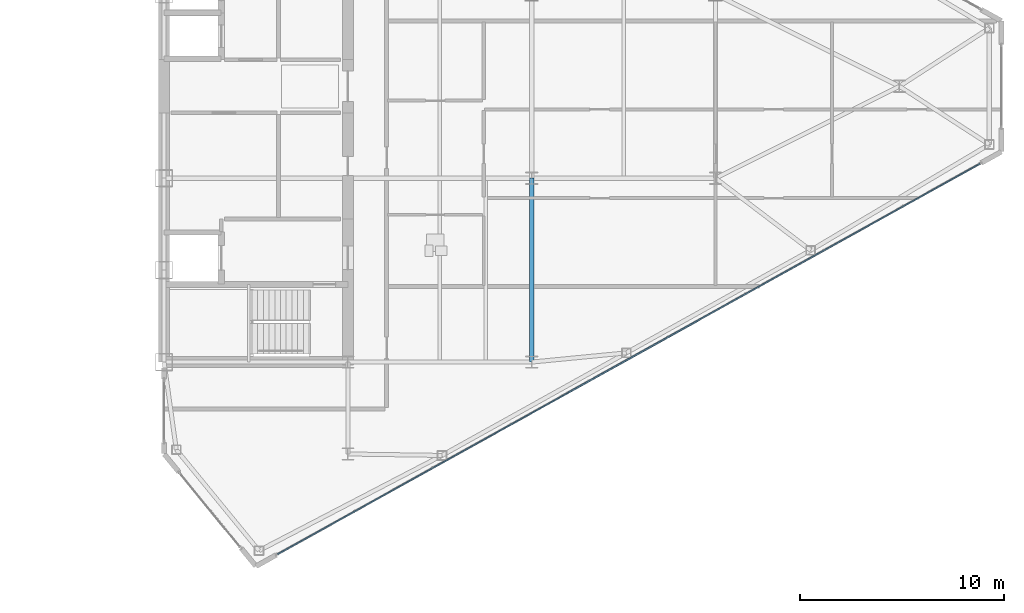
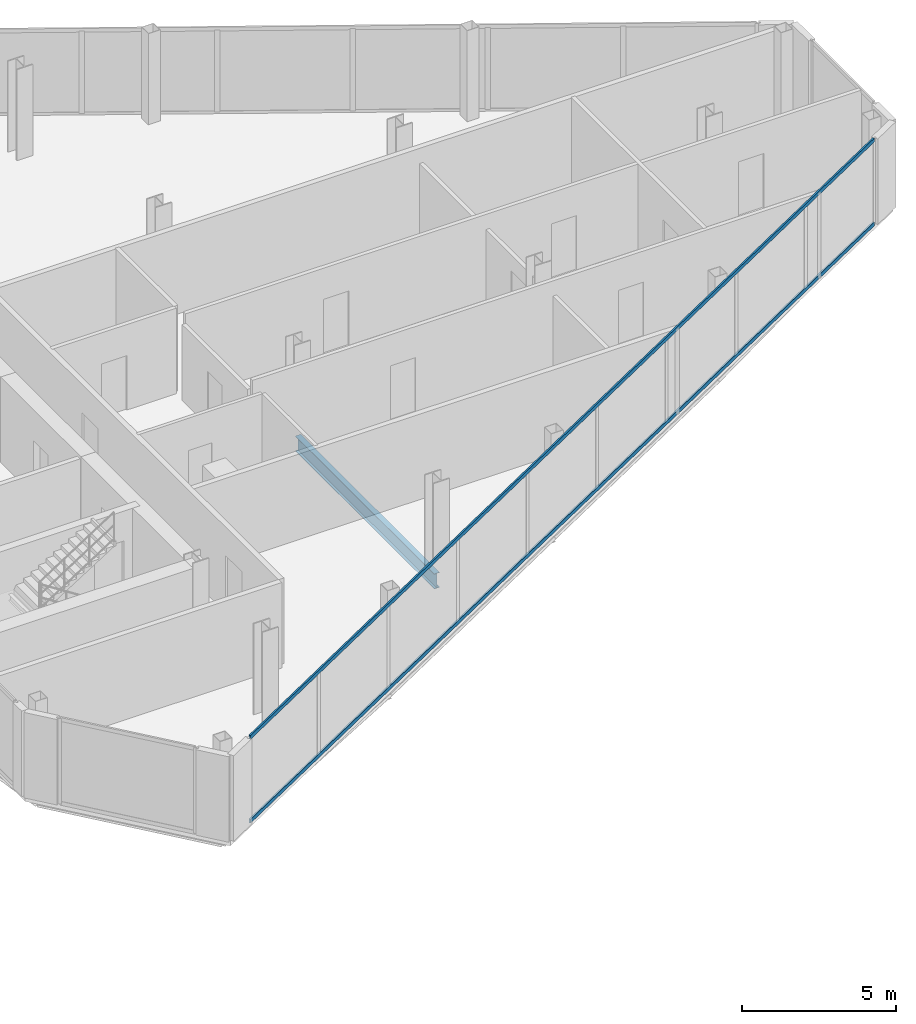
# One storey, part 12 of 25: 2 members, 1 beam, 1 element without a shape of its own.
"""IFC4 building model written with IfcOpenShell, lengths in metres."""

from ifc_helpers import new_model, si_unit, direction, frame, origin, origin_2d, place, context, subcontext, project, spatial, rectangle, i_section, extrude, source, transform, mapped, material, layer, layer_set, material_profile, profile_set, type_object, type_shapes, element, aggregate, save


model = new_model("IFC4")

# Units and contexts
model_context = context("Model", 3, precision=1e-05, world=origin(), true_north=direction((0.0, 1.0)))
body_context = subcontext(model_context, "Body", "Model", "MODEL_VIEW")
ifc_project = project(units=[si_unit("LENGTHUNIT", "METRE"), si_unit("AREAUNIT", "SQUARE_METRE"), si_unit("VOLUMEUNIT", "CUBIC_METRE"), si_unit("PLANEANGLEUNIT", "RADIAN"), si_unit("MASSUNIT", "GRAM", prefix="KILO")], contexts=[model_context])

# Site, building, storey
site_placement = place(None, origin())
site = spatial("IfcSite", under=ifc_project, at=site_placement, CompositionType="ELEMENT")
building_placement = place(site_placement, origin())
building = spatial("IfcBuilding", under=site, at=building_placement, Name="Seokmaru Belvedere", CompositionType="ELEMENT")
storey_placement = place(building_placement, frame((0.0, 0.0, 188.699951171875)))
storey = spatial("IfcBuildingStorey", under=building, at=storey_placement, Name="L50", CompositionType="ELEMENT", Elevation=188.699951171875)

# Beam
ifc_material_1 = material(Name="Steel SM355 (355 MPa)", Category="steel")
ifc_material_profile_1 = material_profile(ifc_material_1, i_section(OverallWidth=0.199951171875, OverallDepth=0.60009765625, WebThickness=0.010986328125, FlangeThickness=0.01708984375, at=origin_2d()), Name="H-600x200x11x17")
ifc_profile_set_1 = profile_set([ifc_material_profile_1], Name="Steel SM355 (355 MPa)")
beam_type = type_object("IfcBeamType", Name="Primary Floor Girder H-600", PredefinedType="BEAM", material=ifc_profile_set_1)
shared_shape_1 = source(origin(), body_context, "Body", "SweptSolid", [
    extrude(i_section(OverallWidth=0.199951171875, OverallDepth=0.60009765625, WebThickness=0.010986328125, FlangeThickness=0.01708984375, at=origin_2d()), origin(), (0.0, 0.0, 1.0), 9.0),
])
type_shapes(beam_type, [shared_shape_1])
beam_placement = place(storey_placement, frame((45.5, -13.5, -0.52001953125), z_axis=(0.0, 1.0, 0.0), x_axis=(-1.0, 0.0, 0.0)))
element("IfcBeam", 1, at=beam_placement, inside=storey, type_object=beam_type, Name="L50 E Interior Grid Girder 1", PredefinedType="BEAM", context=body_context, shape_type="MappedRepresentation", body=[
    mapped(shared_shape_1, transform((0.0, 0.0, 0.0), scale=1.0)),
])

# Curtain wall, members
ifc_material_2 = material(Name="Bronze Triple Insulating Glass", Category="glass")
ifc_layer = layer(ifc_material_2, 0.179931640625)
ifc_layer_set = layer_set([ifc_layer], Name="Bronze Triple Insulating Glass")
curtain_wall_type = type_object("IfcCurtainWallType", Name="High-Rise Wind-Corner Curtain Wall System CW-5", PredefinedType="NOTDEFINED", material=ifc_layer_set)
curtain_wall_placement = place(storey_placement, origin())
curtain_wall = element("IfcCurtainWall", 2, at=curtain_wall_placement, inside=storey, type_object=curtain_wall_type, Name="L50 Curtain Wall EF1", PredefinedType="NOTDEFINED")
ifc_material_3 = material(Name="Anodised Bronze Aluminium", Category="aluminium")
ifc_material_profile_2 = material_profile(ifc_material_3, rectangle(XDim=0.06494140625, YDim=0.14990234375, at=origin_2d()), Name="CW-T-65x150")
ifc_profile_set_2 = profile_set([ifc_material_profile_2], Name="Anodised Bronze Aluminium")
member_type = type_object("IfcMemberType", Name="Bronze Unitised Transom 65x150", PredefinedType="USERDEFINED", material=ifc_profile_set_2)
shared_shape_2 = source(origin(), body_context, "Body", "SweptSolid", [
    extrude(rectangle(XDim=0.06494140625, YDim=0.14990234375, at=origin_2d()), origin(), (0.0, 0.0, 1.0), 39.33544921875),
])
type_shapes(member_type, [shared_shape_2])
member_1_placement = place(storey_placement, frame((33.061767578125, -22.909423828125, 0.032470703125), z_axis=(0.873932045133, 0.486048125693, 0.0), x_axis=(-0.486048125693, 0.873932045133, 0.0)))
member_1 = element("IfcMember", 3, at=member_1_placement, type_object=member_type, Name="CW:L50:EF1 Continuous Transom 1", ObjectType="TRANSOM", PredefinedType="USERDEFINED", context=body_context, shape_type="MappedRepresentation", body=[
    mapped(shared_shape_2, transform((0.0, 0.0, 0.0), scale=1.0)),
])
member_2_placement = place(storey_placement, frame((33.061767578125, -22.909423828125, 3.34765625), z_axis=(0.873932045133, 0.486048125693, 0.0), x_axis=(-0.486048125693, 0.873932045133, 0.0)))
member_2 = element("IfcMember", 4, at=member_2_placement, type_object=member_type, Name="CW:L50:EF1 Continuous Transom 2", ObjectType="TRANSOM", PredefinedType="USERDEFINED", context=body_context, shape_type="MappedRepresentation", body=[
    mapped(shared_shape_2, transform((0.0, 0.0, 0.0), scale=1.0)),
])
aggregate(curtain_wall, [member_1, member_2])

save(model, "model.ifc")
